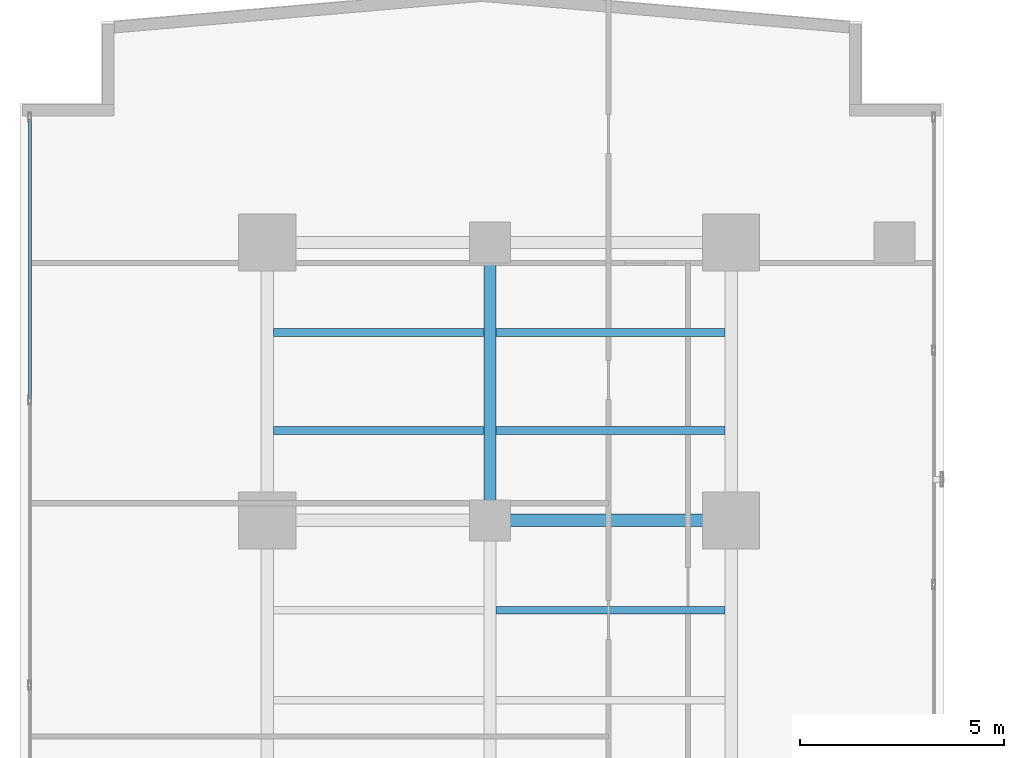
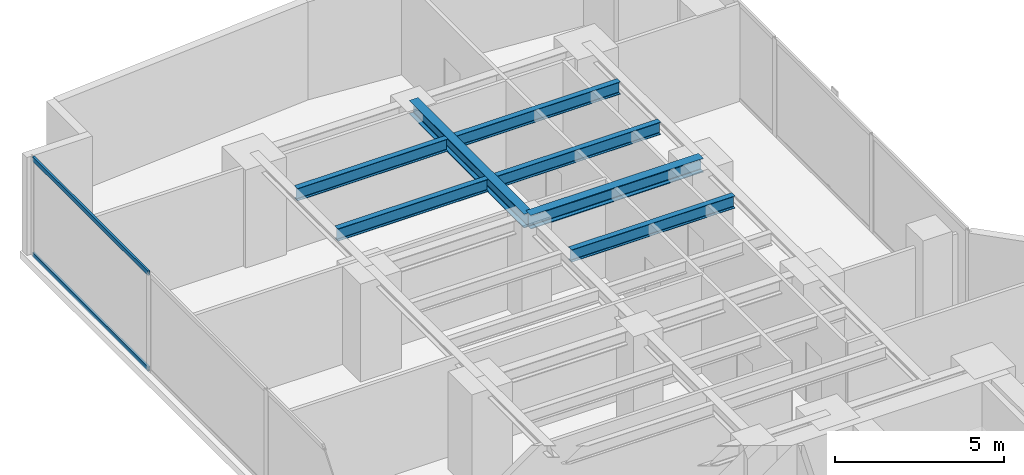
# One storey, part 15 of 24: 7 beams, 2 members, 1 element without a shape of its own.
"""IFC4 building model written with IfcOpenShell, lengths in metres."""

from ifc_helpers import new_model, si_unit, direction, frame, origin, origin_with_axes, origin_2d, place, context, subcontext, project, spatial, hollow_rectangle, i_section, extrude, source, transform, mapped, material, layer, layer_set, material_profile, profile_set, type_object, element, aggregate, save


model = new_model("IFC4")

# Units and contexts
model_context = context("Model", 3, precision=1e-05, world=origin(), true_north=direction((0.0, 1.0)))
body_context = subcontext(model_context, "Body", "Model", "MODEL_VIEW")
ifc_project = project(units=[si_unit("LENGTHUNIT", "METRE"), si_unit("AREAUNIT", "SQUARE_METRE"), si_unit("VOLUMEUNIT", "CUBIC_METRE"), si_unit("PLANEANGLEUNIT", "RADIAN"), si_unit("MASSUNIT", "GRAM", prefix="KILO")], contexts=[model_context])

# Site, building, storey
site_placement = place(None, origin())
site = spatial("IfcSite", under=ifc_project, at=site_placement, CompositionType="ELEMENT")
building_placement = place(site_placement, origin())
building = spatial("IfcBuilding", under=site, at=building_placement, Name="Kolvaren Waterfront Exchange", CompositionType="ELEMENT")
storey_placement = place(building_placement, frame((0.0, 0.0, 91.699951171875)))
storey = spatial("IfcBuildingStorey", under=building, at=storey_placement, Name="L23", CompositionType="ELEMENT", Elevation=91.699951171875)

# Beams
ifc_material_1 = material(Name="Steel S355", Category="steel")
ifc_material_profile_1 = material_profile(ifc_material_1, i_section(OverallWidth=0.300048828125, OverallDepth=0.5, WebThickness=0.014404296875, FlangeThickness=0.028076171875, FilletRadius=0.027099609375, at=origin_2d()), Name="HEB500")
ifc_profile_set_1 = profile_set([ifc_material_profile_1], Name="Steel S355")
beam_type_1 = type_object("IfcBeamType", Name="STR-BM-HEB500", PredefinedType="BEAM", material=ifc_profile_set_1)
beam_1_placement = place(storey_placement, frame((12.89990234375, 37.800048828125, 3.2900390625), z_axis=(1.0, 0.0, 0.0), x_axis=(0.0, 1.0, 0.0)))
element("IfcBeam", 1, at=beam_1_placement, inside=storey, type_object=beam_type_1, Name="L23 north-arm girder 3B", PredefinedType="BEAM", context=body_context, shape_type="SweptSolid", body=[
    extrude(i_section(OverallWidth=0.300048828125, OverallDepth=0.5, WebThickness=0.014404296875, FlangeThickness=0.028076171875, FilletRadius=0.027099609375, at=origin_2d()), origin(), (0.0, 0.0, 1.0), 5.900146484375),
])
beam_2_placement = place(storey_placement, frame((12.89990234375, 37.800048828125, 3.2900390625), z_axis=(0.0, 1.0, 0.0), x_axis=(-1.0, 0.0, 0.0)))
element("IfcBeam", 2, at=beam_2_placement, inside=storey, type_object=beam_type_1, Name="L23 north-arm edge beam 3", PredefinedType="BEAM", context=body_context, shape_type="SweptSolid", body=[
    extrude(i_section(OverallWidth=0.300048828125, OverallDepth=0.5, WebThickness=0.014404296875, FlangeThickness=0.028076171875, FilletRadius=0.027099609375, at=origin_2d()), origin(), (0.0, 0.0, 1.0), 6.800048828125),
])
ifc_material_profile_2 = material_profile(ifc_material_1, i_section(OverallWidth=0.18994140625, OverallDepth=0.449951171875, WebThickness=0.009521484375, FlangeThickness=0.0146484375, FilletRadius=0.02099609375, at=origin_2d()), Name="IPE450")
ifc_profile_set_2 = profile_set([ifc_material_profile_2], Name="Steel S355")
beam_type_2 = type_object("IfcBeamType", Name="STR-BM-IPE450", PredefinedType="JOIST", material=ifc_profile_set_2)
beam_3_placement = place(storey_placement, frame((13.052001953125, 35.60009765625, 3.31494140625), z_axis=(1.0, 0.0, 0.0), x_axis=(0.0, 1.0, 0.0)))
element("IfcBeam", 3, at=beam_3_placement, inside=storey, type_object=beam_type_2, Name="L23 north-arm composite joist 4B", PredefinedType="JOIST", context=body_context, shape_type="SweptSolid", body=[
    extrude(i_section(OverallWidth=0.18994140625, OverallDepth=0.449951171875, WebThickness=0.009521484375, FlangeThickness=0.0146484375, FilletRadius=0.02099609375, at=origin_2d()), origin(), (0.0, 0.0, 1.0), 5.595947265625),
])
beam_4_placement = place(storey_placement, frame((7.60205078125, 40.0, 3.31494140625), z_axis=(1.0, 0.0, 0.0), x_axis=(0.0, 1.0, 0.0)))
element("IfcBeam", 4, at=beam_4_placement, inside=storey, type_object=beam_type_2, Name="L23 north-arm composite joist 5A", PredefinedType="JOIST", context=body_context, shape_type="SweptSolid", body=[
    extrude(i_section(OverallWidth=0.18994140625, OverallDepth=0.449951171875, WebThickness=0.009521484375, FlangeThickness=0.0146484375, FilletRadius=0.02099609375, at=origin_2d()), origin(), (0.0, 0.0, 1.0), 5.14599609375),
])
beam_5_placement = place(storey_placement, frame((13.052001953125, 40.0, 3.31494140625), z_axis=(1.0, 0.0, 0.0), x_axis=(0.0, 1.0, 0.0)))
element("IfcBeam", 5, at=beam_5_placement, inside=storey, type_object=beam_type_2, Name="L23 north-arm composite joist 5B", PredefinedType="JOIST", context=body_context, shape_type="SweptSolid", body=[
    extrude(i_section(OverallWidth=0.18994140625, OverallDepth=0.449951171875, WebThickness=0.009521484375, FlangeThickness=0.0146484375, FilletRadius=0.02099609375, at=origin_2d()), origin(), (0.0, 0.0, 1.0), 5.595947265625),
])
beam_6_placement = place(storey_placement, frame((7.60205078125, 42.39990234375, 3.31494140625), z_axis=(1.0, 0.0, 0.0), x_axis=(0.0, 1.0, 0.0)))
element("IfcBeam", 6, at=beam_6_placement, inside=storey, type_object=beam_type_2, Name="L23 north-arm composite joist 6A", PredefinedType="JOIST", context=body_context, shape_type="SweptSolid", body=[
    extrude(i_section(OverallWidth=0.18994140625, OverallDepth=0.449951171875, WebThickness=0.009521484375, FlangeThickness=0.0146484375, FilletRadius=0.02099609375, at=origin_2d()), origin(), (0.0, 0.0, 1.0), 5.14599609375),
])
beam_7_placement = place(storey_placement, frame((13.052001953125, 42.39990234375, 3.31494140625), z_axis=(1.0, 0.0, 0.0), x_axis=(0.0, 1.0, 0.0)))
element("IfcBeam", 7, at=beam_7_placement, inside=storey, type_object=beam_type_2, Name="L23 north-arm composite joist 6B", PredefinedType="JOIST", context=body_context, shape_type="SweptSolid", body=[
    extrude(i_section(OverallWidth=0.18994140625, OverallDepth=0.449951171875, WebThickness=0.009521484375, FlangeThickness=0.0146484375, FilletRadius=0.02099609375, at=origin_2d()), origin(), (0.0, 0.0, 1.0), 5.595947265625),
])

# Curtain wall, members
ifc_material_2 = material(Name="Anodised aluminium 6063-T6", Category="aluminium")
ifc_layer = layer(ifc_material_2, 0.219970703125, Name="Anodised aluminium 6063-T6")
ifc_layer_set = layer_set([ifc_layer], Name="Anodised aluminium 6063-T6")
curtain_wall_type = type_object("IfcCurtainWallType", Name="ARC-CW-SYS2", PredefinedType="USERDEFINED", material=ifc_layer_set)
curtain_wall_placement = place(storey_placement, origin())
curtain_wall = element("IfcCurtainWall", 8, at=curtain_wall_placement, inside=storey, type_object=curtain_wall_type, Name="L23 stick curtain wall CW2 (CW-L23-W)", ObjectType="STICK CURTAIN WALL", PredefinedType="USERDEFINED")
ifc_material_profile_3 = material_profile(ifc_material_2, hollow_rectangle(XDim=0.074951171875, YDim=0.159912109375, WallThickness=0.00439453125, at=origin_2d()), Name="ALU-TRN-160x75x4.5")
ifc_profile_set_3 = profile_set([ifc_material_profile_3], Name="Anodised aluminium 6063-T6")
member_type = type_object("IfcMemberType", Name="ARC-CWT-160", PredefinedType="USERDEFINED", material=ifc_profile_set_3)
shared_shape = source(origin_with_axes(), body_context, "Body", "SweptSolid", [
    extrude(hollow_rectangle(XDim=0.074951171875, YDim=0.159912109375, WallThickness=0.00439453125, at=origin_2d()), origin(), (0.0, 0.0, 1.0), 6.8466796875),
])
member_1_placement = place(storey_placement, frame((1.639892578125, 40.7734375, 0.03759765625), z_axis=(0.0, 1.0, 0.0), x_axis=(-1.0, 0.0, 0.0)))
member_1 = element("IfcMember", 9, at=member_1_placement, type_object=member_type, Name="CW2 transom 6.1", ObjectType="TRANSOM", PredefinedType="USERDEFINED", context=body_context, shape_type="MappedRepresentation", body=[
    mapped(shared_shape, transform((0.0, 0.0, 0.0), x_axis=(1.0, 0.0, 0.0), y_axis=(0.0, 1.0, 0.0), z_axis=(0.0, 0.0, 1.0), scale=1.0)),
])
member_2_placement = place(storey_placement, frame((1.639892578125, 40.7734375, 3.50244140625), z_axis=(0.0, 1.0, 0.0), x_axis=(-1.0, 0.0, 0.0)))
member_2 = element("IfcMember", 10, at=member_2_placement, type_object=member_type, Name="CW2 transom 6.2", ObjectType="TRANSOM", PredefinedType="USERDEFINED", context=body_context, shape_type="MappedRepresentation", body=[
    mapped(shared_shape, transform((0.0, 0.0, 0.0), x_axis=(1.0, 0.0, 0.0), y_axis=(0.0, 1.0, 0.0), z_axis=(0.0, 0.0, 1.0), scale=1.0)),
])
aggregate(curtain_wall, [member_1, member_2])

save(model, "model.ifc")
